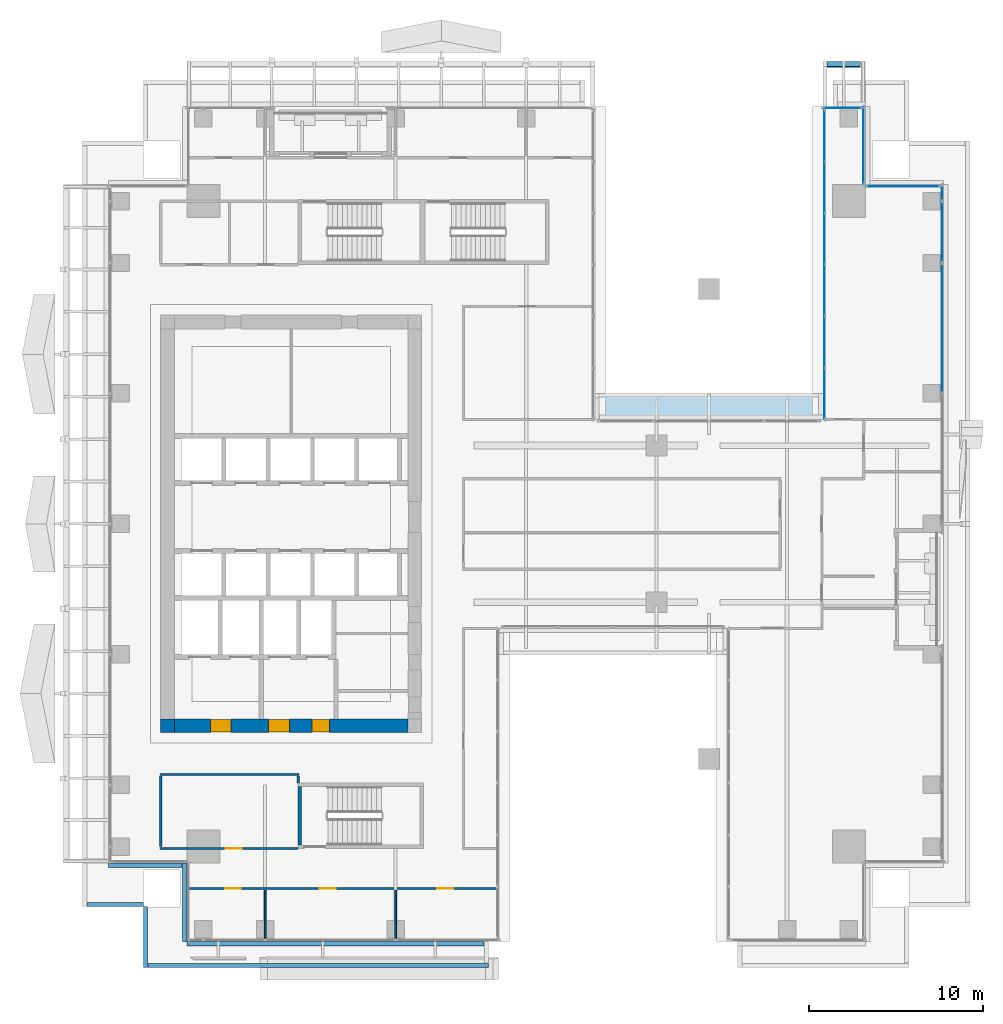
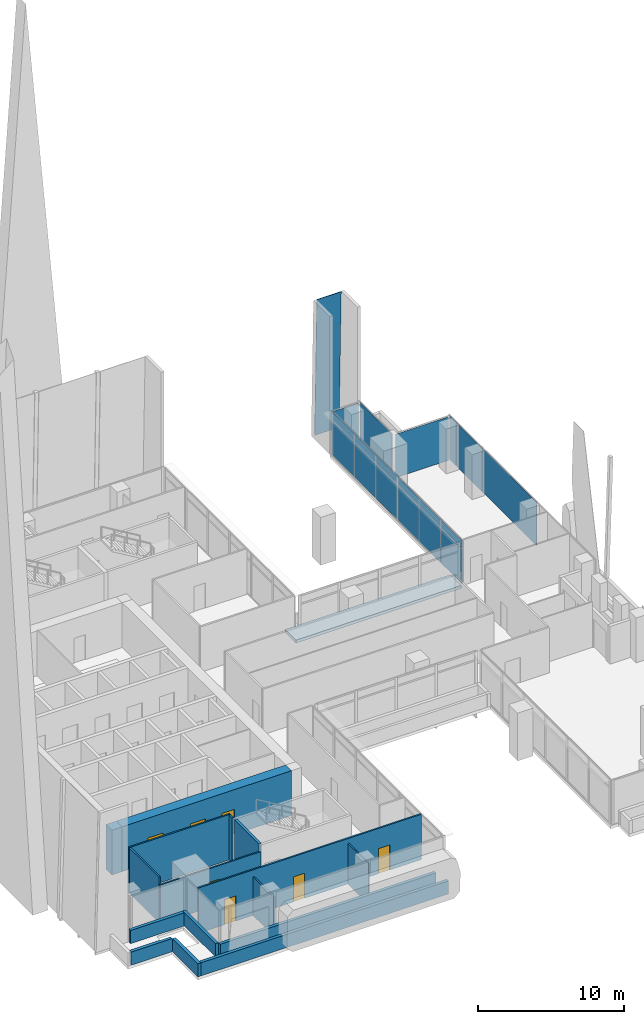
# One storey, part 33 of 43: 19 plates, 16 walls, 7 doors, 1 slab, 7 openings, 5 elements without a shape of their own.
"""IFC4 building model written with IfcOpenShell, lengths in metres."""

from ifc_helpers import new_model, si_unit, direction, frame, frame_2d, origin, origin_2d, place, context, subcontext, project, spatial, polyline, rectangle, outline, extrude, source, transform, mapped, material, layer, layer_set, type_object, element, fill, aggregate, save


model = new_model("IFC4")

# Units and contexts
model_context = context("Model", 3, precision=1e-05, world=origin(), true_north=direction((0.0, 1.0)))
body_context = subcontext(model_context, "Body", "Model", "MODEL_VIEW")
ifc_project = project(units=[si_unit("LENGTHUNIT", "METRE"), si_unit("AREAUNIT", "SQUARE_METRE"), si_unit("VOLUMEUNIT", "CUBIC_METRE"), si_unit("PLANEANGLEUNIT", "RADIAN"), si_unit("MASSUNIT", "GRAM", prefix="KILO")], contexts=[model_context])

# Site, building, storey
site_placement = place(None, origin())
site = spatial("IfcSite", under=ifc_project, at=site_placement, CompositionType="ELEMENT")
building_placement = place(site_placement, origin())
building = spatial("IfcBuilding", under=site, at=building_placement, Name="Khomas Fold Tower", CompositionType="ELEMENT")
storey_placement = place(building_placement, frame((0.0, 0.0, 164.699951171875)))
storey = spatial("IfcBuildingStorey", under=building, at=storey_placement, Name="L35", CompositionType="ELEMENT", Elevation=164.699951171875)

# Plate
ifc_material_1 = material(Name="Clear laminated glass", Category="glass")
ifc_layer_1 = layer(ifc_material_1, 0.0400390625)
ifc_layer_set_1 = layer_set([ifc_layer_1], Name="Clear laminated glass")
plate_type_1 = type_object("IfcPlateType", Name="SK-Clear laminated glass leaf", PredefinedType="SHEET", material=ifc_layer_set_1)
plate_1_placement = place(storey_placement, frame((44.300048828125, 53.5849609375, 0.0009765625), z_axis=(0.0, 0.999657230839, 0.026180543005), x_axis=(1.0, 0.0, 0.0)))
element("IfcPlate", 1, at=plate_1_placement, inside=storey, type_object=plate_type_1, Name="OUTER SKIN glass L35 N10", PredefinedType="SHEET", context=body_context, shape_type="SweptSolid", body=[
    extrude(outline(polyline([(0.0, 0.0), (1.929931640625, 0.0), (1.929931640625, -11.554009186164079), (0.0, -11.554009186164079), (0.0, 0.0)])), origin(), (0.0, 0.0, -1.0), 0.0400390625),
])

# Slab
ifc_material_2 = material(Name="Concrete C40/50", Category="concrete")
ifc_layer_2 = layer(ifc_material_2, 0.25)
ifc_layer_set_2 = layer_set([ifc_layer_2], Name="Concrete C40/50")
slab_type = type_object("IfcSlabType", Name="RC roof slab 250", PredefinedType="ROOF", material=ifc_layer_set_2)
shared_shape_1 = source(origin(), body_context, "Body", "SweptSolid", [
    extrude(outline(polyline([(30.949951171875, 33.0), (44.050048828125, 33.0), (44.050048828125, 34.5), (30.949951171875, 34.5), (30.949951171875, 33.0)])), origin(), (0.0, 0.0, 1.0), 0.25),
])
slab_placement = place(storey_placement, frame((0.0, 0.0, -0.25)))
element("IfcSlab", 2, at=slab_placement, inside=storey, type_object=slab_type, Name="Setback roof slab", PredefinedType="ROOF", context=body_context, shape_type="MappedRepresentation", body=[
    mapped(shared_shape_1, transform((0.0, 0.0, 0.0))),
])

# Curtain wall, plate
ifc_material_3 = material(Name="Aluminium framed double glazing", Category="aluminium")
curtain_wall_type_1 = type_object("IfcCurtainWallType", Name="SK-Unitised clear-glass wall, office floors CW2", PredefinedType="NOTDEFINED", material=ifc_material_3)
curtain_wall_1_placement = place(storey_placement, origin())
curtain_wall_1 = element("IfcCurtainWall", 3, at=curtain_wall_1_placement, inside=storey, type_object=curtain_wall_type_1, Name="CW2 corner return L35 10", PredefinedType="NOTDEFINED")
ifc_material_4 = material(Name="Clear double glazed unit")
ifc_layer_3 = layer(ifc_material_4, 0.030029296875)
ifc_layer_set_3 = layer_set([ifc_layer_3], Name="Clear double glazed unit")
plate_type_2 = type_object("IfcPlateType", Name="SK-Unitised clear-glass wall, office floors glass panel CW2-P", PredefinedType="CURTAIN_PANEL", material=ifc_layer_set_3)
shared_shape_2 = source(origin(), body_context, "Body", "SweptSolid", [
    extrude(rectangle(XDim=4.3798828125, YDim=0.030029296875, at=origin_2d()), origin(), (0.0, 0.0, 1.0), 3.639892578125),
])
plate_2_placement = place(storey_placement, frame((46.39990234375, 48.75, 0.0), z_axis=(0.0, 0.0, 1.0), x_axis=(0.0, 1.0, 0.0)))
plate_2 = element("IfcPlate", 4, at=plate_2_placement, type_object=plate_type_2, Name="CW2 glass panel 1", PredefinedType="CURTAIN_PANEL", context=body_context, shape_type="MappedRepresentation", body=[
    mapped(shared_shape_2, transform((0.0, 0.0, 0.0))),
])
aggregate(curtain_wall_1, [plate_2])

# Curtain wall, plates
curtain_wall_2_placement = place(storey_placement, origin())
curtain_wall_2 = element("IfcCurtainWall", 5, at=curtain_wall_2_placement, inside=storey, type_object=curtain_wall_type_1, Name="CW2 run L35 08-1", PredefinedType="NOTDEFINED")
shared_shape_3 = source(origin(), body_context, "Body", "SweptSolid", [
    extrude(rectangle(XDim=3.489990234375, YDim=0.030029296875, at=origin_2d()), origin(), (0.0, 0.0, 1.0), 3.639892578125),
])
plate_3_placement = place(storey_placement, frame((50.89990234375, 43.77490234375, 0.0), z_axis=(0.0, 0.0, 1.0), x_axis=(0.0, 1.0, 0.0)))
plate_3 = element("IfcPlate", 6, at=plate_3_placement, type_object=plate_type_2, Name="CW2 glass panel 4", PredefinedType="CURTAIN_PANEL", context=body_context, shape_type="MappedRepresentation", body=[
    mapped(shared_shape_3, transform((0.0, 0.0, 0.0))),
])
shared_shape_4 = source(origin(), body_context, "Body", "SweptSolid", [
    extrude(rectangle(XDim=7.43994140625, YDim=0.030029296875, at=origin_2d()), origin(), (0.0, 0.0, 1.0), 3.639892578125),
])
plate_4_placement = place(storey_placement, frame((50.89990234375, 38.25, 0.0), z_axis=(0.0, 0.0, 1.0), x_axis=(0.0, 1.0, 0.0)))
plate_4 = element("IfcPlate", 7, at=plate_4_placement, type_object=plate_type_2, Name="CW2 glass panel 3", PredefinedType="CURTAIN_PANEL", context=body_context, shape_type="MappedRepresentation", body=[
    mapped(shared_shape_4, transform((0.0, 0.0, 0.0))),
])

# Curtain wall, plate
curtain_wall_3_placement = place(storey_placement, origin())
curtain_wall_3 = element("IfcCurtainWall", 8, at=curtain_wall_3_placement, inside=storey, type_object=curtain_wall_type_1, Name="CW2 corner return L35 09", PredefinedType="NOTDEFINED")
shared_shape_5 = source(origin(), body_context, "Body", "SweptSolid", [
    extrude(rectangle(XDim=4.179931640625, YDim=0.030029296875, at=origin_2d()), origin(), (0.0, 0.0, 1.0), 3.639892578125),
])
plate_5_placement = place(storey_placement, frame((48.64990234375, 46.39990234375, 0.0), z_axis=(0.0, 0.0, 1.0), x_axis=(-1.0, 0.0, 0.0)))
plate_5 = element("IfcPlate", 9, at=plate_5_placement, type_object=plate_type_2, Name="CW2 glass panel 1", PredefinedType="CURTAIN_PANEL", context=body_context, shape_type="MappedRepresentation", body=[
    mapped(shared_shape_5, transform((0.0, 0.0, 0.0))),
])
aggregate(curtain_wall_3, [plate_5])

# Plate
shared_shape_6 = source(origin(), body_context, "Body", "SweptSolid", [
    extrude(rectangle(XDim=0.860107421875, YDim=0.030029296875, at=origin_2d()), origin(), (0.0, 0.0, 1.0), 3.639892578125),
])
plate_6_placement = place(storey_placement, frame((50.89990234375, 46.010009765625, 0.0), z_axis=(0.0, 0.0, 1.0), x_axis=(0.0, 1.0, 0.0)))
plate_6 = element("IfcPlate", 10, at=plate_6_placement, type_object=plate_type_2, Name="CW2 glass panel 5", PredefinedType="CURTAIN_PANEL", context=body_context, shape_type="MappedRepresentation", body=[
    mapped(shared_shape_6, transform((0.0, 0.0, 0.0))),
])

aggregate(curtain_wall_2, [plate_4, plate_3, plate_6])

# Curtain wall, plate
curtain_wall_4_placement = place(storey_placement, origin())
curtain_wall_4 = element("IfcCurtainWall", 11, at=curtain_wall_4_placement, inside=storey, type_object=curtain_wall_type_1, Name="CW2 corner return L35 11", PredefinedType="NOTDEFINED")
shared_shape_7 = source(origin(), body_context, "Body", "SweptSolid", [
    extrude(rectangle(XDim=2.1298828125, YDim=0.030029296875, at=origin_2d()), origin(), (0.0, 0.0, 1.0), 3.639892578125),
])
plate_7_placement = place(storey_placement, frame((45.175048828125, 50.89990234375, 0.0), z_axis=(0.0, 0.0, 1.0), x_axis=(-1.0, 0.0, 0.0)))
plate_7 = element("IfcPlate", 12, at=plate_7_placement, type_object=plate_type_2, Name="CW2 glass panel 1", PredefinedType="CURTAIN_PANEL", context=body_context, shape_type="MappedRepresentation", body=[
    mapped(shared_shape_7, transform((0.0, 0.0, 0.0))),
])
aggregate(curtain_wall_4, [plate_7])

# Curtain wall, plates
ifc_material_5 = material(Name="Aluminium framed double glazing", Category="aluminium")
curtain_wall_type_2 = type_object("IfcCurtainWallType", Name="Notch glazing GN-CW", PredefinedType="NOTDEFINED", material=ifc_material_5)
curtain_wall_5_placement = place(storey_placement, origin())
curtain_wall_5 = element("IfcCurtainWall", 13, at=curtain_wall_5_placement, inside=storey, type_object=curtain_wall_type_2, Name="Notch glazing run", PredefinedType="NOTDEFINED")
ifc_material_6 = material(Name="Double glazed unit")
ifc_layer_4 = layer(ifc_material_6, 0.031982421875)
ifc_layer_set_4 = layer_set([ifc_layer_4], Name="Double glazed unit")
plate_type_3 = type_object("IfcPlateType", Name="Notch glazing panel GN-CW-P", PredefinedType="CURTAIN_PANEL", material=ifc_layer_set_4)
shared_shape_8 = source(origin(), body_context, "Body", "SweptSolid", [
    extrude(rectangle(XDim=2.876708984375, YDim=0.031982421875, at=origin_2d()), origin(), (0.0, 0.0, 1.0), 2.909912109375),
])
plate_8_placement = place(storey_placement, frame((44.14990234375, 49.3017578125, 0.06005859375), z_axis=(0.0, 0.0, 1.0), x_axis=(0.0, -1.0, 0.0)))
plate_8 = element("IfcPlate", 14, at=plate_8_placement, type_object=plate_type_3, Name="GN-CW panel 1.1", PredefinedType="CURTAIN_PANEL", context=body_context, shape_type="MappedRepresentation", body=[
    mapped(shared_shape_8, transform((0.0, 0.0, 0.0))),
])
plate_9_placement = place(storey_placement, frame((44.14990234375, 34.498291015625, 0.06005859375), z_axis=(0.0, 0.0, 1.0), x_axis=(0.0, -1.0, 0.0)))
plate_9 = element("IfcPlate", 15, at=plate_9_placement, type_object=plate_type_3, Name="GN-CW panel 6.1", PredefinedType="CURTAIN_PANEL", context=body_context, shape_type="MappedRepresentation", body=[
    mapped(shared_shape_8, transform((0.0, 0.0, 0.0))),
])
shared_shape_9 = source(origin(), body_context, "Body", "SweptSolid", [
    extrude(rectangle(XDim=2.90673828125, YDim=0.031982421875, at=origin_2d()), origin(), (0.0, 0.0, 1.0), 2.909912109375),
])
plate_10_placement = place(storey_placement, frame((44.14990234375, 46.35009765625, 0.06005859375), z_axis=(0.0, 0.0, 1.0), x_axis=(0.0, -1.0, 0.0)))
plate_10 = element("IfcPlate", 16, at=plate_10_placement, type_object=plate_type_3, Name="GN-CW panel 2.1", PredefinedType="CURTAIN_PANEL", context=body_context, shape_type="MappedRepresentation", body=[
    mapped(shared_shape_9, transform((0.0, 0.0, 0.0))),
])
plate_11_placement = place(storey_placement, frame((44.14990234375, 43.38330078125, 0.06005859375), z_axis=(0.0, 0.0, 1.0), x_axis=(0.0, -1.0, 0.0)))
plate_11 = element("IfcPlate", 17, at=plate_11_placement, type_object=plate_type_3, Name="GN-CW panel 3.1", PredefinedType="CURTAIN_PANEL", context=body_context, shape_type="MappedRepresentation", body=[
    mapped(shared_shape_9, transform((0.0, 0.0, 0.0))),
])
plate_12_placement = place(storey_placement, frame((44.14990234375, 40.416748046875, 0.06005859375), z_axis=(0.0, 0.0, 1.0), x_axis=(0.0, -1.0, 0.0)))
plate_12 = element("IfcPlate", 18, at=plate_12_placement, type_object=plate_type_3, Name="GN-CW panel 4.1", PredefinedType="CURTAIN_PANEL", context=body_context, shape_type="MappedRepresentation", body=[
    mapped(shared_shape_9, transform((0.0, 0.0, 0.0))),
])
plate_13_placement = place(storey_placement, frame((44.14990234375, 37.449951171875, 0.06005859375), z_axis=(0.0, 0.0, 1.0), x_axis=(0.0, -1.0, 0.0)))
plate_13 = element("IfcPlate", 19, at=plate_13_placement, type_object=plate_type_3, Name="GN-CW panel 5.1", PredefinedType="CURTAIN_PANEL", context=body_context, shape_type="MappedRepresentation", body=[
    mapped(shared_shape_9, transform((0.0, 0.0, 0.0))),
])
shared_shape_10 = source(origin(), body_context, "Body", "SweptSolid", [
    extrude(rectangle(XDim=2.876708984375, YDim=0.031982421875, at=origin_2d()), origin(), (0.0, 0.0, 1.0), 0.659912109375),
])
plate_14_placement = place(storey_placement, frame((44.14990234375, 49.3017578125, 3.0302734375), z_axis=(0.0, 0.0, 1.0), x_axis=(0.0, -1.0, 0.0)))
plate_14 = element("IfcPlate", 20, at=plate_14_placement, type_object=plate_type_3, Name="GN-CW panel 1.2", PredefinedType="CURTAIN_PANEL", context=body_context, shape_type="MappedRepresentation", body=[
    mapped(shared_shape_10, transform((0.0, 0.0, 0.0))),
])
plate_15_placement = place(storey_placement, frame((44.14990234375, 34.498291015625, 3.0302734375), z_axis=(0.0, 0.0, 1.0), x_axis=(0.0, -1.0, 0.0)))
plate_15 = element("IfcPlate", 21, at=plate_15_placement, type_object=plate_type_3, Name="GN-CW panel 6.2", PredefinedType="CURTAIN_PANEL", context=body_context, shape_type="MappedRepresentation", body=[
    mapped(shared_shape_10, transform((0.0, 0.0, 0.0))),
])
shared_shape_11 = source(origin(), body_context, "Body", "SweptSolid", [
    extrude(rectangle(XDim=2.90673828125, YDim=0.031982421875, at=origin_2d()), origin(), (0.0, 0.0, 1.0), 0.659912109375),
])
plate_16_placement = place(storey_placement, frame((44.14990234375, 46.35009765625, 3.0302734375), z_axis=(0.0, 0.0, 1.0), x_axis=(0.0, -1.0, 0.0)))
plate_16 = element("IfcPlate", 22, at=plate_16_placement, type_object=plate_type_3, Name="GN-CW panel 2.2", PredefinedType="CURTAIN_PANEL", context=body_context, shape_type="MappedRepresentation", body=[
    mapped(shared_shape_11, transform((0.0, 0.0, 0.0))),
])
plate_17_placement = place(storey_placement, frame((44.14990234375, 43.38330078125, 3.0302734375), z_axis=(0.0, 0.0, 1.0), x_axis=(0.0, -1.0, 0.0)))
plate_17 = element("IfcPlate", 23, at=plate_17_placement, type_object=plate_type_3, Name="GN-CW panel 3.2", PredefinedType="CURTAIN_PANEL", context=body_context, shape_type="MappedRepresentation", body=[
    mapped(shared_shape_11, transform((0.0, 0.0, 0.0))),
])
plate_18_placement = place(storey_placement, frame((44.14990234375, 40.416748046875, 3.0302734375), z_axis=(0.0, 0.0, 1.0), x_axis=(0.0, -1.0, 0.0)))
plate_18 = element("IfcPlate", 24, at=plate_18_placement, type_object=plate_type_3, Name="GN-CW panel 4.2", PredefinedType="CURTAIN_PANEL", context=body_context, shape_type="MappedRepresentation", body=[
    mapped(shared_shape_11, transform((0.0, 0.0, 0.0))),
])
plate_19_placement = place(storey_placement, frame((44.14990234375, 37.449951171875, 3.0302734375), z_axis=(0.0, 0.0, 1.0), x_axis=(0.0, -1.0, 0.0)))
plate_19 = element("IfcPlate", 25, at=plate_19_placement, type_object=plate_type_3, Name="GN-CW panel 5.2", PredefinedType="CURTAIN_PANEL", context=body_context, shape_type="MappedRepresentation", body=[
    mapped(shared_shape_11, transform((0.0, 0.0, 0.0))),
])
aggregate(curtain_wall_5, [plate_8, plate_14, plate_10, plate_16, plate_11, plate_17, plate_12, plate_18, plate_13, plate_19, plate_9, plate_15])

# Wall, openings, doors
ifc_material_7 = material(Name="Concrete C60/75", Category="concrete")
ifc_layer_5 = layer(ifc_material_7, 0.800048828125)
ifc_layer_set_5 = layer_set([ifc_layer_5], Name="Concrete C60/75")
wall_type_1 = type_object("IfcWallType", Name="Core wall 800", PredefinedType="SHEAR", material=ifc_layer_set_5)
shared_shape_12 = source(origin(), body_context, "Body", "SweptSolid", [
    extrude(rectangle(XDim=13.39990234375, YDim=0.800048828125, at=frame_2d((6.699951171875, 0.0))), origin(), (0.0, 0.0, 1.0), 3.75),
])
wall_1_placement = place(storey_placement, frame((6.800048828125, 15.39990234375, 0.0), z_axis=(0.0, 0.0, 1.0), x_axis=(1.0, 0.0, 0.0)))
wall_1 = element("IfcWall", 26, at=wall_1_placement, inside=storey, type_object=wall_type_1, Name="Core wall CW-U-S-L35", PredefinedType="SHEAR", context=body_context, shape_type="MappedRepresentation", body=[
    mapped(shared_shape_12, transform((0.0, 0.0, 0.0))),
])
shared_shape_13 = source(origin(), body_context, "Body", "SweptSolid", [
    extrude(rectangle(XDim=1.199951171875, YDim=2.10009765625, at=frame_2d((0.60009765625, 1.050048828125))), frame((0.0, 0.409912109375, 0.0), z_axis=(0.0, -1.0, 0.0), x_axis=(1.0, 0.0, 0.0)), (0.0, 0.0, 1.0), 0.820068359375),
])
opening_1_placement = place(wall_1_placement, frame((5.39990234375, 0.0, 0.0)))
opening_1 = element("IfcOpeningElement", 27, at=opening_1_placement, cuts=wall_1, Name="Opening 0009", PredefinedType="OPENING", context=body_context, shape_type="MappedRepresentation", body=[
    mapped(shared_shape_13, transform((0.0, 0.0, 0.0))),
])
opening_2_placement = place(wall_1_placement, frame((2.050048828125, 0.0, 0.0)))
opening_2 = element("IfcOpeningElement", 28, at=opening_2_placement, cuts=wall_1, Name="Opening 0009", PredefinedType="OPENING", context=body_context, shape_type="MappedRepresentation", body=[
    mapped(shared_shape_13, transform((0.0, 0.0, 0.0))),
])
shared_shape_14 = source(origin(), body_context, "Body", "SweptSolid", [
    extrude(rectangle(XDim=1.0, YDim=2.10009765625, at=frame_2d((0.5, 1.050048828125))), frame((0.0, 0.409912109375, 0.0), z_axis=(0.0, -1.0, 0.0), x_axis=(1.0, 0.0, 0.0)), (0.0, 0.0, 1.0), 0.820068359375),
])
opening_3_placement = place(wall_1_placement, frame((7.89990234375, 0.0, 0.0)))
opening_3 = element("IfcOpeningElement", 29, at=opening_3_placement, cuts=wall_1, Name="Opening 0010", PredefinedType="OPENING", context=body_context, shape_type="MappedRepresentation", body=[
    mapped(shared_shape_14, transform((0.0, 0.0, 0.0))),
])
ifc_material_8 = material(Name="Steel door leaf", Category="steel")
door_type_1 = type_object("IfcDoorType", Name="Lobby door 1200x2100 right-hand", OperationType="SINGLE_SWING_RIGHT", PredefinedType="DOOR", material=ifc_material_8)
shared_shape_15 = source(origin(), body_context, "Body", "SweptSolid", [
    extrude(rectangle(XDim=1.199951171875, YDim=2.10009765625, at=frame_2d((0.60009765625, 1.050048828125))), frame((0.0, 0.35009765625, 0.0), z_axis=(0.0, -1.0, 0.0), x_axis=(1.0, 0.0, 0.0)), (0.0, 0.0, 1.0), 0.699951171875),
])
door_1_placement = place(opening_1_placement, origin())
door_1 = element("IfcDoor", 30, at=door_1_placement, inside=storey, type_object=door_type_1, Name="Lobby door", OperationType="SINGLE_SWING_RIGHT", OverallHeight=2.10009765625, OverallWidth=1.199951171875, PredefinedType="DOOR", context=body_context, shape_type="MappedRepresentation", body=[
    mapped(shared_shape_15, transform((0.0, 0.0, 0.0))),
])
fill(opening_1, door_1)
door_2_placement = place(opening_2_placement, origin())
door_2 = element("IfcDoor", 31, at=door_2_placement, inside=storey, type_object=door_type_1, Name="Lobby door", OperationType="SINGLE_SWING_RIGHT", OverallHeight=2.10009765625, OverallWidth=1.199951171875, PredefinedType="DOOR", context=body_context, shape_type="MappedRepresentation", body=[
    mapped(shared_shape_15, transform((0.0, 0.0, 0.0))),
])
fill(opening_2, door_2)
ifc_material_9 = material(Name="Steel door leaf", Category="steel")
door_type_2 = type_object("IfcDoorType", Name="Stair door 1000x2100 right-hand", OperationType="SINGLE_SWING_RIGHT", PredefinedType="DOOR", material=ifc_material_9)
shared_shape_16 = source(origin(), body_context, "Body", "SweptSolid", [
    extrude(rectangle(XDim=1.0, YDim=2.10009765625, at=frame_2d((0.5, 1.050048828125))), frame((0.0, 0.35009765625, 0.0), z_axis=(0.0, -1.0, 0.0), x_axis=(1.0, 0.0, 0.0)), (0.0, 0.0, 1.0), 0.699951171875),
])
door_3_placement = place(opening_3_placement, origin())
door_3 = element("IfcDoor", 32, at=door_3_placement, inside=storey, type_object=door_type_2, Name="Stair door", OperationType="SINGLE_SWING_RIGHT", OverallHeight=2.10009765625, OverallWidth=1.0, PredefinedType="DOOR", context=body_context, shape_type="MappedRepresentation", body=[
    mapped(shared_shape_16, transform((0.0, 0.0, 0.0))),
])
fill(opening_3, door_3)

# Walls
ifc_material_10 = material(Name="Concrete C60/75", Category="concrete")
ifc_layer_6 = layer(ifc_material_10, 0.800048828125)
ifc_layer_set_6 = layer_set([ifc_layer_6], Name="Concrete C60/75")
wall_type_2 = type_object("IfcWallType", Name="Core corner wall 800", PredefinedType="SHEAR", material=ifc_layer_set_6)
shared_shape_17 = source(origin(), body_context, "Body", "SweptSolid", [
    extrude(rectangle(XDim=0.800048828125, YDim=0.800048828125, at=frame_2d((0.39990234375, 0.0))), origin(), (0.0, 0.0, 1.0), 3.75),
])
wall_2_placement = place(storey_placement, frame((6.0, 15.39990234375, 0.0), z_axis=(0.0, 0.0, 1.0), x_axis=(1.0, 0.0, 0.0)))
element("IfcWall", 33, at=wall_2_placement, inside=storey, type_object=wall_type_2, Name="Core wall CW-U-SW-L35", PredefinedType="SHEAR", context=body_context, shape_type="MappedRepresentation", body=[
    mapped(shared_shape_17, transform((0.0, 0.0, 0.0))),
])
ifc_material_11 = material(Name="Concrete C50/60", Category="concrete")
ifc_layer_7 = layer(ifc_material_11, 0.199951171875)
ifc_layer_set_7 = layer_set([ifc_layer_7], Name="Concrete C50/60")
wall_type_3 = type_object("IfcWallType", Name="Stair wall 200", PredefinedType="SHEAR", material=ifc_layer_set_7)
shared_shape_18 = source(origin(), body_context, "Body", "SweptSolid", [
    extrude(rectangle(XDim=3.349853515625, YDim=0.199951171875, at=frame_2d((1.6748046875, 0.0))), origin(), (0.0, 0.0, 1.0), 3.75),
])
wall_3_placement = place(storey_placement, frame((14.0, 8.550048828125, 0.0), z_axis=(0.0, 0.0, 1.0), x_axis=(0.0, 1.0, 0.0)))
element("IfcWall", 34, at=wall_3_placement, inside=storey, type_object=wall_type_3, Name="Stair wall SW-ST2-W", PredefinedType="SHEAR", context=body_context, shape_type="MappedRepresentation", body=[
    mapped(shared_shape_18, transform((0.0, 0.0, 0.0))),
])
ifc_material_12 = material(Name="Concrete C40/50", Category="concrete")
ifc_layer_8 = layer(ifc_material_12, 0.25)
ifc_layer_set_8 = layer_set([ifc_layer_8], Name="Concrete C40/50")
wall_type_4 = type_object("IfcWallType", Name="Setback roof parapet 250", PredefinedType="PARAPET", material=ifc_layer_set_8)
shared_shape_19 = source(origin(), body_context, "Body", "SweptSolid", [
    extrude(rectangle(XDim=4.5, YDim=0.25, at=frame_2d((2.25, 0.0))), origin(), (0.0, 0.0, 1.0), 1.10009765625),
])
wall_4_placement = place(storey_placement, frame((7.375, 3.0, 0.0), z_axis=(0.0, 0.0, 1.0), x_axis=(0.0, 1.0, 0.0)))
element("IfcWall", 35, at=wall_4_placement, inside=storey, type_object=wall_type_4, Name="Setback roof parapet", PredefinedType="SOLIDWALL", context=body_context, shape_type="MappedRepresentation", body=[
    mapped(shared_shape_19, transform((0.0, 0.0, 0.0))),
])
shared_shape_20 = source(origin(), body_context, "Body", "SweptSolid", [
    extrude(rectangle(XDim=4.22998046875, YDim=0.25, at=frame_2d((2.114990234375, 0.0))), origin(), (0.0, 0.0, 1.0), 1.10009765625),
])
wall_5_placement = place(storey_placement, frame((7.22998046875, 7.375, 0.0), z_axis=(0.0, 0.0, 1.0), x_axis=(-1.0, 0.0, 0.0)))
element("IfcWall", 36, at=wall_5_placement, inside=storey, type_object=wall_type_4, Name="Setback roof parapet", PredefinedType="SOLIDWALL", context=body_context, shape_type="MappedRepresentation", body=[
    mapped(shared_shape_20, transform((0.0, 0.0, 0.0))),
])
shared_shape_21 = source(origin(), body_context, "Body", "SweptSolid", [
    extrude(rectangle(XDim=3.5, YDim=0.25, at=frame_2d((1.75, 0.0))), origin(), (0.0, 0.0, 1.0), 1.10009765625),
])
wall_6_placement = place(storey_placement, frame((5.125, 5.0, 0.0), z_axis=(0.0, 0.0, 1.0), x_axis=(0.0, -1.0, 0.0)))
element("IfcWall", 37, at=wall_6_placement, inside=storey, type_object=wall_type_4, Name="Setback roof parapet", PredefinedType="SOLIDWALL", context=body_context, shape_type="MappedRepresentation", body=[
    mapped(shared_shape_21, transform((0.0, 0.0, 0.0))),
])
shared_shape_22 = source(origin(), body_context, "Body", "SweptSolid", [
    extrude(rectangle(XDim=3.25, YDim=0.25, at=frame_2d((1.625, 0.0))), origin(), (0.0, 0.0, 1.0), 1.10009765625),
])
wall_7_placement = place(storey_placement, frame((1.75, 5.125, 0.0), z_axis=(0.0, 0.0, 1.0), x_axis=(1.0, 0.0, 0.0)))
element("IfcWall", 38, at=wall_7_placement, inside=storey, type_object=wall_type_4, Name="Setback roof parapet", PredefinedType="SOLIDWALL", context=body_context, shape_type="MappedRepresentation", body=[
    mapped(shared_shape_22, transform((0.0, 0.0, 0.0))),
])
shared_shape_23 = source(origin(), body_context, "Body", "SweptSolid", [
    extrude(rectangle(XDim=19.580078125, YDim=0.25, at=frame_2d((9.7900390625, 0.0))), origin(), (0.0, 0.0, 1.0), 1.10009765625),
])
wall_8_placement = place(storey_placement, frame((5.27001953125, 1.625, 0.0), z_axis=(0.0, 0.0, 1.0), x_axis=(1.0, 0.0, 0.0)))
element("IfcWall", 39, at=wall_8_placement, inside=storey, type_object=wall_type_4, Name="Setback roof parapet", PredefinedType="SOLIDWALL", context=body_context, shape_type="MappedRepresentation", body=[
    mapped(shared_shape_23, transform((0.0, 0.0, 0.0))),
])
shared_shape_24 = source(origin(), body_context, "Body", "SweptSolid", [
    extrude(rectangle(XDim=17.080078125, YDim=0.25, at=frame_2d((8.5400390625, 0.0))), origin(), (0.0, 0.0, 1.0), 1.10009765625),
])
wall_9_placement = place(storey_placement, frame((24.580078125, 2.875, 0.0), z_axis=(0.0, 0.0, 1.0), x_axis=(-1.0, 0.0, 0.0)))
element("IfcWall", 40, at=wall_9_placement, inside=storey, type_object=wall_type_4, Name="Setback roof parapet", PredefinedType="SOLIDWALL", context=body_context, shape_type="MappedRepresentation", body=[
    mapped(shared_shape_24, transform((0.0, 0.0, 0.0))),
])
ifc_material_13 = material(Name="Plasterboard partition")
ifc_layer_9 = layer(ifc_material_13, 0.10009765625)
ifc_layer_set_9 = layer_set([ifc_layer_9], Name="Plasterboard partition")
wall_type_5 = type_object("IfcWallType", Name="Partition PW1 100", PredefinedType="PARTITIONING", material=ifc_layer_set_9)
shared_shape_25 = source(origin(), body_context, "Body", "SweptSolid", [
    extrude(rectangle(XDim=2.800048828125, YDim=0.10009765625, at=frame_2d((1.39990234375, 0.0))), origin(), (0.0, 0.0, 1.0), 3.25),
])
wall_10_placement = place(storey_placement, frame((12.0, 3.14990234375, 0.0), z_axis=(0.0, 0.0, 1.0), x_axis=(0.0, 1.0, 0.0)))
element("IfcWall", 41, at=wall_10_placement, inside=storey, type_object=wall_type_5, Name="Partition", PredefinedType="PARTITIONING", context=body_context, shape_type="MappedRepresentation", body=[
    mapped(shared_shape_25, transform((0.0, 0.0, 0.0))),
])
shared_shape_26 = source(origin(), body_context, "Body", "SweptSolid", [
    extrude(rectangle(XDim=2.800048828125, YDim=0.10009765625, at=frame_2d((1.39990234375, 0.0))), origin(), (0.0, 0.0, 1.0), 3.420166015625),
])
wall_11_placement = place(storey_placement, frame((19.5, 3.14990234375, 0.0), z_axis=(0.0, 0.0, 1.0), x_axis=(0.0, 1.0, 0.0)))
element("IfcWall", 42, at=wall_11_placement, inside=storey, type_object=wall_type_5, Name="Partition", PredefinedType="PARTITIONING", context=body_context, shape_type="MappedRepresentation", body=[
    mapped(shared_shape_26, transform((0.0, 0.0, 0.0))),
])

# Wall, openings, doors
ifc_material_14 = material(Name="Plasterboard partition")
ifc_layer_10 = layer(ifc_material_14, 0.125)
ifc_layer_set_10 = layer_set([ifc_layer_10], Name="Plasterboard partition")
wall_type_6 = type_object("IfcWallType", Name="Partition PW2 125", PredefinedType="PARTITIONING", material=ifc_layer_set_10)
shared_shape_27 = source(origin(), body_context, "Body", "SweptSolid", [
    extrude(rectangle(XDim=17.650146484375, YDim=0.125, at=frame_2d((8.8251953125, 0.0))), origin(), (0.0, 0.0, 1.0), 3.800048828125),
])
wall_12_placement = place(storey_placement, frame((7.64990234375, 6.050048828125, 0.0), z_axis=(0.0, 0.0, 1.0), x_axis=(1.0, 0.0, 0.0)))
wall_12 = element("IfcWall", 43, at=wall_12_placement, inside=storey, type_object=wall_type_6, Name="Partition", PredefinedType="PARTITIONING", context=body_context, shape_type="MappedRepresentation", body=[
    mapped(shared_shape_27, transform((0.0, 0.0, 0.0))),
])
shared_shape_28 = source(origin(), body_context, "Body", "SweptSolid", [
    extrude(rectangle(XDim=0.89990234375, YDim=2.10009765625, at=frame_2d((0.449951171875, 1.050048828125))), frame((0.0, 0.072509765625, 0.0), z_axis=(0.0, -1.0, 0.0), x_axis=(1.0, 0.0, 0.0)), (0.0, 0.0, 1.0), 0.14501953125),
])
opening_4_placement = place(wall_12_placement, frame((2.050048828125, 0.0, 0.0)))
opening_4 = element("IfcOpeningElement", 44, at=opening_4_placement, cuts=wall_12, Name="Opening 0008", PredefinedType="OPENING", context=body_context, shape_type="MappedRepresentation", body=[
    mapped(shared_shape_28, transform((0.0, 0.0, 0.0))),
])
opening_5_placement = place(wall_12_placement, frame((7.5, 0.0, 0.0)))
opening_5 = element("IfcOpeningElement", 45, at=opening_5_placement, cuts=wall_12, Name="Opening 0007", PredefinedType="OPENING", context=body_context, shape_type="MappedRepresentation", body=[
    mapped(shared_shape_28, transform((0.0, 0.0, 0.0))),
])
opening_6_placement = place(wall_12_placement, frame((14.25, 0.0, 0.0)))
opening_6 = element("IfcOpeningElement", 46, at=opening_6_placement, cuts=wall_12, Name="Opening 0007", PredefinedType="OPENING", context=body_context, shape_type="MappedRepresentation", body=[
    mapped(shared_shape_28, transform((0.0, 0.0, 0.0))),
])
ifc_material_15 = material(Name="Timber door leaf", Category="wood")
door_type_3 = type_object("IfcDoorType", Name="Door 900x2100 right-hand", OperationType="SINGLE_SWING_RIGHT", PredefinedType="DOOR", material=ifc_material_15)
shared_shape_29 = source(origin(), body_context, "Body", "SweptSolid", [
    extrude(rectangle(XDim=0.89990234375, YDim=2.10009765625, at=frame_2d((0.449951171875, 1.050048828125))), frame((0.0, 0.02490234375, 0.0), z_axis=(0.0, -1.0, 0.0), x_axis=(1.0, 0.0, 0.0)), (0.0, 0.0, 1.0), 0.050048828125),
])
door_4_placement = place(opening_4_placement, origin())
door_4 = element("IfcDoor", 47, at=door_4_placement, inside=storey, type_object=door_type_3, Name="Door", OperationType="SINGLE_SWING_RIGHT", OverallHeight=2.10009765625, OverallWidth=0.89990234375, PredefinedType="DOOR", context=body_context, shape_type="MappedRepresentation", body=[
    mapped(shared_shape_29, transform((0.0, 0.0, 0.0))),
])
fill(opening_4, door_4)
ifc_material_16 = material(Name="Timber door leaf", Category="wood")
door_type_4 = type_object("IfcDoorType", Name="Door 900x2100 left-hand", OperationType="SINGLE_SWING_LEFT", PredefinedType="DOOR", material=ifc_material_16)
door_5_placement = place(opening_5_placement, origin())
door_5 = element("IfcDoor", 48, at=door_5_placement, inside=storey, type_object=door_type_4, Name="Door", OperationType="SINGLE_SWING_LEFT", OverallHeight=2.10009765625, OverallWidth=0.89990234375, PredefinedType="DOOR", context=body_context, shape_type="MappedRepresentation", body=[
    mapped(shared_shape_29, transform((0.0, 0.0, 0.0))),
])
fill(opening_5, door_5)
door_6_placement = place(opening_6_placement, origin())
door_6 = element("IfcDoor", 49, at=door_6_placement, inside=storey, type_object=door_type_4, Name="Door", OperationType="SINGLE_SWING_LEFT", OverallHeight=2.10009765625, OverallWidth=0.89990234375, PredefinedType="DOOR", context=body_context, shape_type="MappedRepresentation", body=[
    mapped(shared_shape_29, transform((0.0, 0.0, 0.0))),
])
fill(opening_6, door_6)

# Wall, opening, door
shared_shape_30 = source(origin(), body_context, "Body", "SweptSolid", [
    extrude(rectangle(XDim=7.949951171875, YDim=0.125, at=frame_2d((3.97509765625, 0.0))), origin(), (0.0, 0.0, 1.0), 3.25),
])
wall_13_placement = place(storey_placement, frame((5.949951171875, 8.35009765625, 0.0), z_axis=(0.0, 0.0, 1.0), x_axis=(1.0, 0.0, 0.0)))
wall_13 = element("IfcWall", 50, at=wall_13_placement, inside=storey, type_object=wall_type_6, Name="Partition", PredefinedType="PARTITIONING", context=body_context, shape_type="MappedRepresentation", body=[
    mapped(shared_shape_30, transform((0.0, 0.0, 0.0))),
])
opening_7_placement = place(wall_13_placement, frame((3.800048828125, 0.0, 0.0)))
opening_7 = element("IfcOpeningElement", 51, at=opening_7_placement, cuts=wall_13, Name="Opening 0007", PredefinedType="OPENING", context=body_context, shape_type="MappedRepresentation", body=[
    mapped(shared_shape_28, transform((0.0, 0.0, 0.0))),
])
door_7_placement = place(opening_7_placement, origin())
door_7 = element("IfcDoor", 52, at=door_7_placement, inside=storey, type_object=door_type_4, Name="Door", OperationType="SINGLE_SWING_LEFT", OverallHeight=2.10009765625, OverallWidth=0.89990234375, PredefinedType="DOOR", context=body_context, shape_type="MappedRepresentation", body=[
    mapped(shared_shape_29, transform((0.0, 0.0, 0.0))),
])
fill(opening_7, door_7)

# Walls
shared_shape_31 = source(origin(), body_context, "Body", "SweptSolid", [
    extrude(rectangle(XDim=4.050048828125, YDim=0.125, at=frame_2d((2.02490234375, 0.0))), origin(), (0.0, 0.0, 1.0), 3.800048828125),
])
wall_14_placement = place(storey_placement, frame((6.0, 8.449951171875, 0.0), z_axis=(0.0, 0.0, 1.0), x_axis=(0.0, 1.0, 0.0)))
element("IfcWall", 53, at=wall_14_placement, inside=storey, type_object=wall_type_6, Name="Partition", PredefinedType="PARTITIONING", context=body_context, shape_type="MappedRepresentation", body=[
    mapped(shared_shape_31, transform((0.0, 0.0, 0.0))),
])
shared_shape_32 = source(origin(), body_context, "Body", "SweptSolid", [
    extrude(rectangle(XDim=0.39990234375, YDim=0.125, at=frame_2d((0.199951171875, 0.0))), origin(), (0.0, 0.0, 1.0), 3.800048828125),
])
wall_15_placement = place(storey_placement, frame((13.89990234375, 12.10009765625, 0.0), z_axis=(0.0, 0.0, 1.0), x_axis=(0.0, 1.0, 0.0)))
element("IfcWall", 54, at=wall_15_placement, inside=storey, type_object=wall_type_6, Name="Partition", PredefinedType="PARTITIONING", context=body_context, shape_type="MappedRepresentation", body=[
    mapped(shared_shape_32, transform((0.0, 0.0, 0.0))),
])
shared_shape_33 = source(origin(), body_context, "Body", "SweptSolid", [
    extrude(rectangle(XDim=8.0, YDim=0.125, at=frame_2d((4.0, 0.0))), origin(), (0.0, 0.0, 1.0), 3.800048828125),
])
wall_16_placement = place(storey_placement, frame((5.949951171875, 12.60009765625, 0.0), z_axis=(0.0, 0.0, 1.0), x_axis=(1.0, 0.0, 0.0)))
element("IfcWall", 55, at=wall_16_placement, inside=storey, type_object=wall_type_6, Name="Partition", PredefinedType="PARTITIONING", context=body_context, shape_type="MappedRepresentation", body=[
    mapped(shared_shape_33, transform((0.0, 0.0, 0.0))),
])

save(model, "model.ifc")
